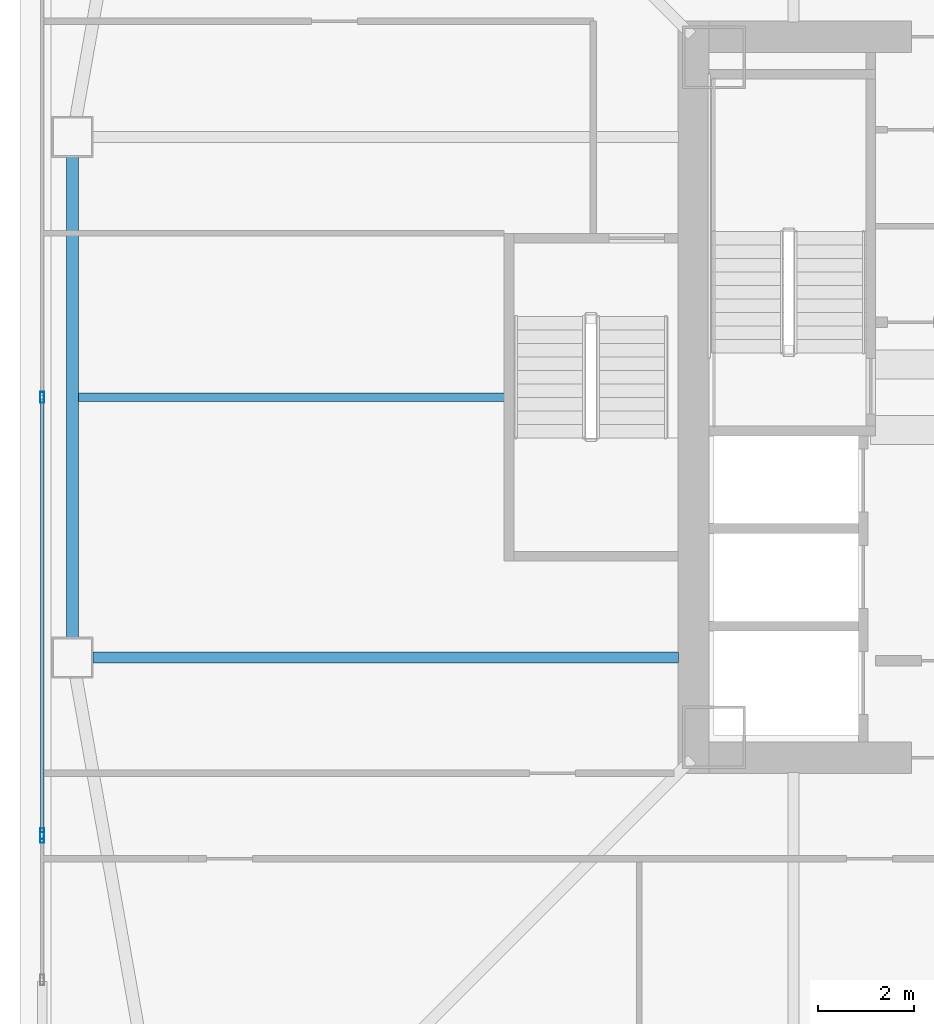
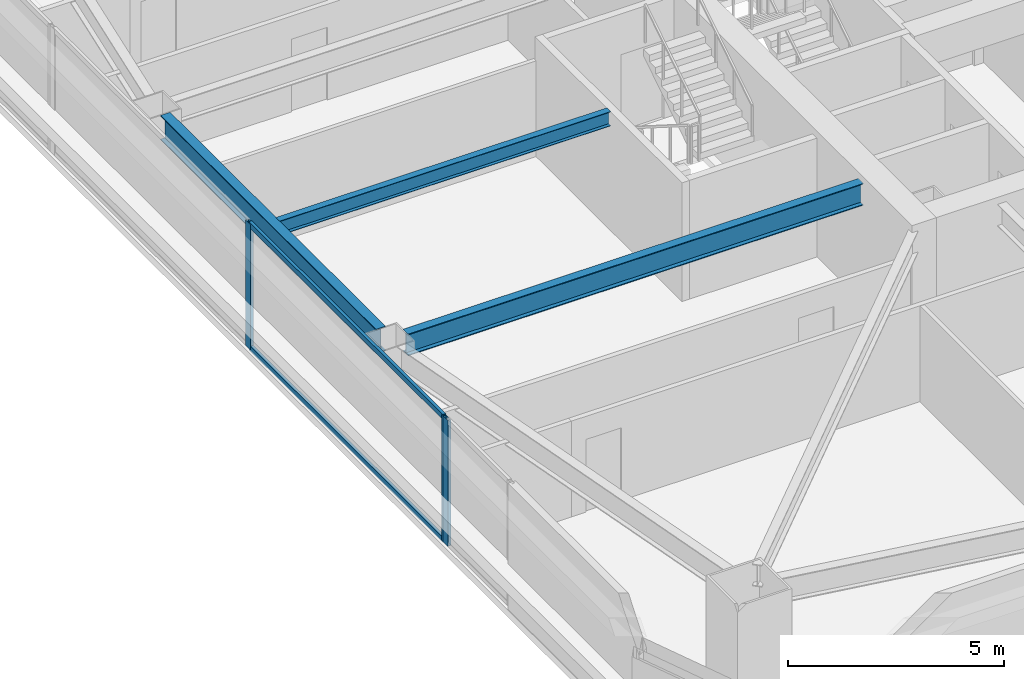
# One storey, part 6 of 44: 5 members, 3 beams, 2 elements without a shape of their own.
"""IFC4 building model written with IfcOpenShell, lengths in metres."""

from ifc_helpers import new_model, si_unit, direction, frame, origin, origin_2d, place, context, subcontext, project, spatial, hollow_rectangle, i_section, extrude, material, material_profile, profile_set, type_object, element, aggregate, save


model = new_model("IFC4")

# Units and contexts
model_context = context("Model", 3, precision=1e-05, world=origin(), true_north=direction((0.0, 1.0)))
body_context = subcontext(model_context, "Body", "Model", "MODEL_VIEW")
ifc_project = project(units=[si_unit("LENGTHUNIT", "METRE"), si_unit("AREAUNIT", "SQUARE_METRE"), si_unit("VOLUMEUNIT", "CUBIC_METRE"), si_unit("PLANEANGLEUNIT", "RADIAN"), si_unit("MASSUNIT", "GRAM", prefix="KILO")], contexts=[model_context])

# Site, building, storey
site_placement = place(None, origin())
site = spatial("IfcSite", under=ifc_project, at=site_placement, CompositionType="ELEMENT")
building_placement = place(site_placement, origin())
building = spatial("IfcBuilding", under=site, at=building_placement, Name="Tashvorn Skyway Center", CompositionType="ELEMENT")
storey_placement = place(building_placement, frame((0.0, 0.0, 74.300048828125)))
storey = spatial("IfcBuildingStorey", under=building, at=storey_placement, Name="L19", CompositionType="ELEMENT", Elevation=74.300048828125)

# Beams
ifc_material_1 = material(Name="Steel ASTM A992 Grade 50", Category="steel")
ifc_material_profile_1 = material_profile(ifc_material_1, i_section(OverallWidth=0.22998046875, OverallDepth=0.616943359375, WebThickness=0.01318359375, FlangeThickness=0.022216796875, at=origin_2d()), Name="W24X94")
ifc_profile_set_1 = profile_set([ifc_material_profile_1], Name="Steel ASTM A992 Grade 50")
beam_type_1 = type_object("IfcBeamType", Name="BM-BEAM-W24X94", PredefinedType="BEAM", material=ifc_profile_set_1)
beam_1_placement = place(storey_placement, frame((22.070068359375, 26.60009765625, 3.04150390625), z_axis=(1.0, 0.0, 0.0), x_axis=(0.0, 1.0, 0.0)))
element("IfcBeam", 1, at=beam_1_placement, inside=storey, type_object=beam_type_1, Name="Tower 1 L19 Primary Floor Girder FC-W2", PredefinedType="BEAM", context=body_context, shape_type="SweptSolid", body=[
    extrude(i_section(OverallWidth=0.22998046875, OverallDepth=0.616943359375, WebThickness=0.01318359375, FlangeThickness=0.022216796875, at=origin_2d()), origin(), (0.0, 0.0, 1.0), 12.14990234375),
])
ifc_material_profile_2 = material_profile(ifc_material_1, i_section(OverallWidth=0.177978515625, OverallDepth=0.406005859375, WebThickness=0.0078125, FlangeThickness=0.0126953125, at=origin_2d()), Name="W16X40")
ifc_profile_set_2 = profile_set([ifc_material_profile_2], Name="Steel ASTM A992 Grade 50")
beam_type_2 = type_object("IfcBeamType", Name="BM-JOIST-W16X40", PredefinedType="JOIST", material=ifc_profile_set_2)
beam_2_placement = place(storey_placement, frame((30.610107421875, 32.0, 3.14697265625), z_axis=(-1.0, 0.0, 0.0), x_axis=(0.0, -1.0, 0.0)))
element("IfcBeam", 2, at=beam_2_placement, inside=storey, type_object=beam_type_2, Name="Tower 1 L19 Secondary Composite Joist JW", PredefinedType="JOIST", context=body_context, shape_type="SweptSolid", body=[
    extrude(i_section(OverallWidth=0.177978515625, OverallDepth=0.406005859375, WebThickness=0.0078125, FlangeThickness=0.0126953125, at=origin_2d()), origin(), (0.0, 0.0, 1.0), 8.840087890625),
])
ifc_material_profile_3 = material_profile(ifc_material_1, i_section(OverallWidth=0.256103515625, OverallDepth=0.693115234375, WebThickness=0.014404296875, FlangeThickness=0.023681640625, at=origin_2d()), Name="W27X114")
ifc_profile_set_3 = profile_set([ifc_material_profile_3], Name="Steel ASTM A992 Grade 50")
beam_type_3 = type_object("IfcBeamType", Name="BM-SPANDREL-W27X114", PredefinedType="SPANDREL", material=ifc_profile_set_3)
beam_3_placement = place(storey_placement, frame((21.64990234375, 36.97998046875, 3.00341796875), z_axis=(0.0, -1.0, 0.0), x_axis=(1.0, 0.0, 0.0)))
element("IfcBeam", 3, at=beam_3_placement, inside=storey, type_object=beam_type_3, Name="Tower 1 L19 Spandrel Beam 11", PredefinedType="SPANDREL", context=body_context, shape_type="SweptSolid", body=[
    extrude(i_section(OverallWidth=0.256103515625, OverallDepth=0.693115234375, WebThickness=0.014404296875, FlangeThickness=0.023681640625, at=origin_2d()), origin(), (0.0, 0.0, 1.0), 9.9599609375),
])

# Curtain wall, member
ifc_material_2 = material(Name="Thermally broken bronze-anodized aluminium 6063-T6", Category="aluminium")
curtain_wall_type = type_object("IfcCurtainWallType", Name="CW-CW-Z2", PredefinedType="NOTDEFINED", material=ifc_material_2)
curtain_wall_1_placement = place(storey_placement, origin())
curtain_wall_1 = element("IfcCurtainWall", 4, at=curtain_wall_1_placement, inside=storey, type_object=curtain_wall_type, Name="Tower 1 L19 West Unitised Curtain Wall Glazing Group 1", PredefinedType="NOTDEFINED")
ifc_material_profile_4 = material_profile(ifc_material_2, hollow_rectangle(XDim=0.080078125, YDim=0.219970703125, WallThickness=0.0048828125, at=origin_2d()), Name="ALU-MULL-80x220")
ifc_profile_set_4 = profile_set([ifc_material_profile_4], Name="Thermally broken bronze-anodized aluminium 6063-T6")
member_type_1 = type_object("IfcMemberType", Name="CWM-CW-Z2", PredefinedType="MULLION", material=ifc_profile_set_4)
member_1_placement = place(storey_placement, frame((21.02001953125, 22.8701171875, 0.0), z_axis=(0.0, 0.0, 1.0), x_axis=(-1.0, 0.0, 0.0)))
member_1 = element("IfcMember", 5, at=member_1_placement, type_object=member_type_1, Name="CW-Z2 mullion 2", PredefinedType="MULLION", context=body_context, shape_type="SweptSolid", body=[
    extrude(hollow_rectangle(XDim=0.080078125, YDim=0.219970703125, WallThickness=0.0048828125, at=origin_2d()), origin(), (0.0, 0.0, 1.0), 3.550048828125),
])
aggregate(curtain_wall_1, [member_1])

# Curtain wall, members
curtain_wall_2_placement = place(storey_placement, origin())
curtain_wall_2 = element("IfcCurtainWall", 6, at=curtain_wall_2_placement, inside=storey, type_object=curtain_wall_type, Name="Tower 1 L19 West Unitised Curtain Wall Glazing Group 2", PredefinedType="NOTDEFINED")
member_2_placement = place(storey_placement, frame((21.02001953125, 22.949951171875, 0.0), z_axis=(0.0, 0.0, 1.0), x_axis=(-1.0, 0.0, 0.0)))
member_2 = element("IfcMember", 7, at=member_2_placement, type_object=member_type_1, Name="CW-Z2 mullion 1", PredefinedType="MULLION", context=body_context, shape_type="SweptSolid", body=[
    extrude(hollow_rectangle(XDim=0.080078125, YDim=0.219970703125, WallThickness=0.0048828125, at=origin_2d()), origin(), (0.0, 0.0, 1.0), 3.550048828125),
])
member_3_placement = place(storey_placement, frame((21.02001953125, 32.0, 0.0), z_axis=(0.0, 0.0, 1.0), x_axis=(-1.0, 0.0, 0.0)))
member_3 = element("IfcMember", 8, at=member_3_placement, type_object=member_type_1, Name="CW-Z2 mullion 2", PredefinedType="MULLION", context=body_context, shape_type="SweptSolid", body=[
    extrude(hollow_rectangle(XDim=0.080078125, YDim=0.219970703125, WallThickness=0.0048828125, at=origin_2d()), origin(), (0.0, 0.0, 1.0), 3.550048828125),
])
ifc_material_profile_5 = material_profile(ifc_material_2, hollow_rectangle(XDim=0.080078125, YDim=0.14990234375, WallThickness=0.00439453125, at=origin_2d()), Name="ALU-TRAN-80x150")
ifc_profile_set_5 = profile_set([ifc_material_profile_5], Name="Thermally broken bronze-anodized aluminium 6063-T6")
member_type_2 = type_object("IfcMemberType", Name="CWT-CW-Z2", PredefinedType="USERDEFINED", material=ifc_profile_set_5)
member_4_placement = place(storey_placement, frame((21.02001953125, 22.989990234375, 0.0400390625), z_axis=(0.0, 1.0, 0.0), x_axis=(-1.0, 0.0, 0.0)))
member_4 = element("IfcMember", 9, at=member_4_placement, type_object=member_type_2, Name="CW-Z2 transom 1.1", ObjectType="TRANSOM", PredefinedType="USERDEFINED", context=body_context, shape_type="SweptSolid", body=[
    extrude(hollow_rectangle(XDim=0.080078125, YDim=0.14990234375, WallThickness=0.00439453125, at=origin_2d()), origin(), (0.0, 0.0, 1.0), 8.969970703125),
])
member_5_placement = place(storey_placement, frame((21.02001953125, 22.989990234375, 3.510009765625), z_axis=(0.0, 1.0, 0.0), x_axis=(-1.0, 0.0, 0.0)))
member_5 = element("IfcMember", 10, at=member_5_placement, type_object=member_type_2, Name="CW-Z2 transom 1.2", ObjectType="TRANSOM", PredefinedType="USERDEFINED", context=body_context, shape_type="SweptSolid", body=[
    extrude(hollow_rectangle(XDim=0.080078125, YDim=0.14990234375, WallThickness=0.00439453125, at=origin_2d()), origin(), (0.0, 0.0, 1.0), 8.969970703125),
])
aggregate(curtain_wall_2, [member_2, member_3, member_4, member_5])

save(model, "model.ifc")
